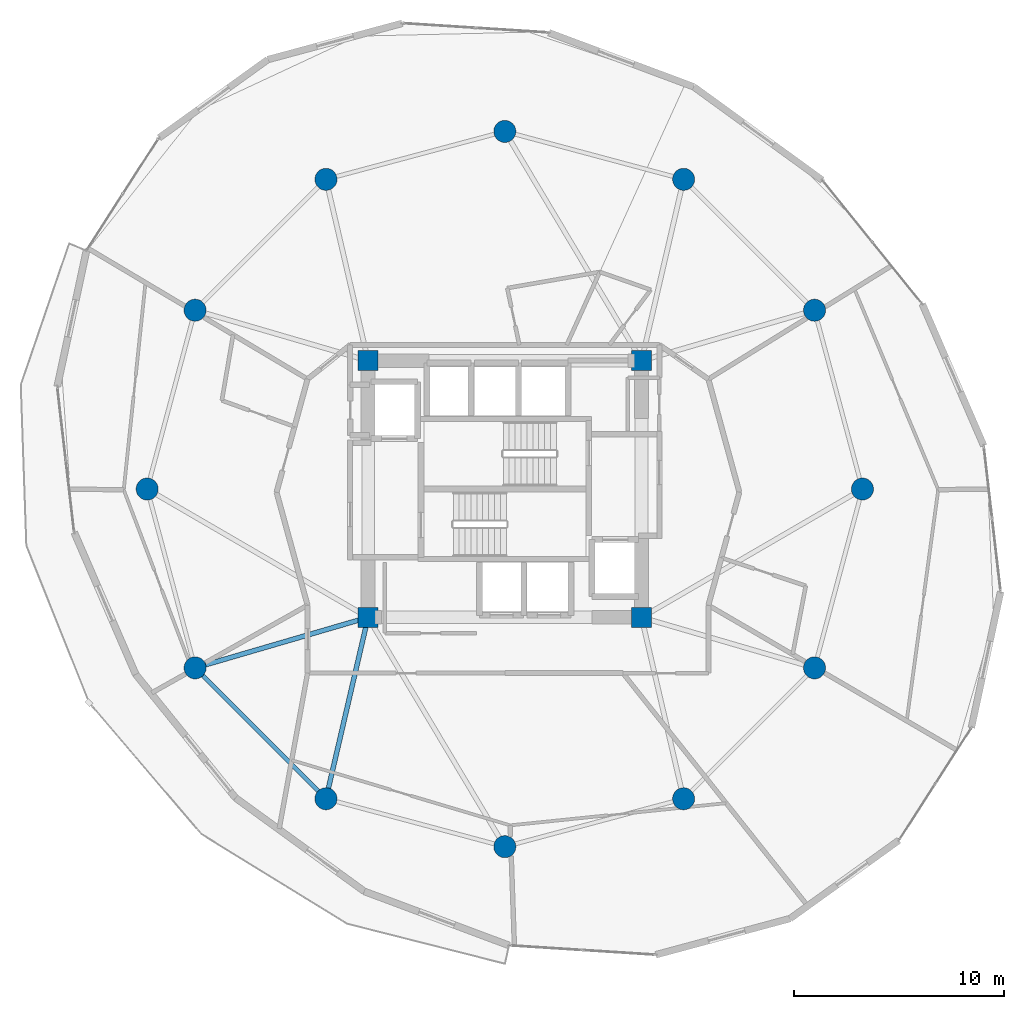
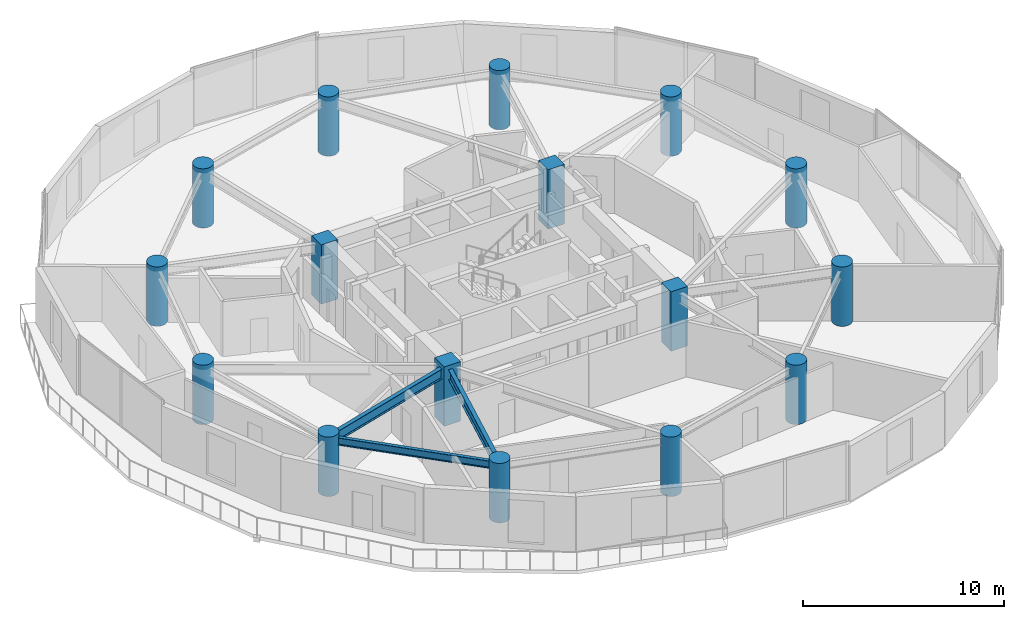
# One storey, part 1 of 21: 16 columns, 3 beams.
"""IFC4 building model written with IfcOpenShell, lengths in metres."""

from ifc_helpers import new_model, si_unit, direction, frame, origin, origin_2d, place, context, subcontext, project, spatial, rectangle, circle, i_section, extrude, material, material_profile, profile_set, type_object, element, save


model = new_model("IFC4")

# Units and contexts
model_context = context("Model", 3, precision=1e-05, world=origin(), true_north=direction((0.0, 1.0)))
body_context = subcontext(model_context, "Body", "Model", "MODEL_VIEW")
ifc_project = project(units=[si_unit("LENGTHUNIT", "METRE"), si_unit("AREAUNIT", "SQUARE_METRE"), si_unit("VOLUMEUNIT", "CUBIC_METRE"), si_unit("PLANEANGLEUNIT", "RADIAN"), si_unit("MASSUNIT", "GRAM", prefix="KILO")], contexts=[model_context])

# Site, building, storey
site_placement = place(None, origin())
site = spatial("IfcSite", under=ifc_project, at=site_placement, CompositionType="ELEMENT")
building_placement = place(site_placement, origin())
building = spatial("IfcBuilding", under=site, at=building_placement, Name="Solvirekh Grand Hotel", CompositionType="ELEMENT")
storey_placement = place(building_placement, frame((0.0, 0.0, 142.199951171875)))
storey = spatial("IfcBuildingStorey", under=building, at=storey_placement, Name="L36", CompositionType="ELEMENT", Elevation=142.199951171875)

# Columns
ifc_material_1 = material(Name="Concrete C50/60", Category="concrete")
ifc_material_profile_1 = material_profile(ifc_material_1, rectangle(XDim=0.949951171875, YDim=0.949951171875, at=origin_2d()), Name="RC 950X950")
ifc_profile_set_1 = profile_set([ifc_material_profile_1], Name="Concrete C50/60")
column_type_1 = type_object("IfcColumnType", Name="Col_Core_950", PredefinedType="COLUMN", material=ifc_profile_set_1)
for number, where, z_axis, x_axis, name in (
    (1, (-6.5, -6.10009765625, 0.0), (0.0, 0.0, 1.0), (1.0, 0.0, 0.0), "L36 core corner column CC1"),
    (2, (6.5, -6.10009765625, 0.0), (0.0, 0.0, 1.0), (1.0, 0.0, 0.0), "L36 core corner column CC2"),
    (3, (6.5, 6.10009765625, 0.0), (0.0, 0.0, 1.0), (1.0, 0.0, 0.0), "L36 core corner column CC3"),
    (4, (-6.5, 6.10009765625, 0.0), (0.0, 0.0, 1.0), (1.0, 0.0, 0.0), "L36 core corner column CC4"),
):
    element("IfcColumn", number, at=place(storey_placement, frame(where, z_axis=z_axis, x_axis=x_axis)), inside=storey, type_object=column_type_1, Name=name, PredefinedType="COLUMN", context=body_context, shape_type="SweptSolid", body=[
        extrude(rectangle(XDim=0.949951171875, YDim=0.949951171875, at=origin_2d()), origin(), (0.0, 0.0, 1.0), 3.60009765625),
    ])
ifc_material_profile_2 = material_profile(ifc_material_1, circle(Radius=0.52490234375, at=origin_2d()), Name="RC CIRC D1050")
ifc_profile_set_2 = profile_set([ifc_material_profile_2], Name="Concrete C50/60")
column_type_2 = type_object("IfcColumnType", Name="Col_Z2_D1050", PredefinedType="COLUMN", material=ifc_profile_set_2)
for number, where, z_axis, x_axis, name in (
    (5, (17.0, 0.0, 0.0), (0.0, 0.0, 1.0), (1.0, 0.0, 0.0), "L36 perimeter column P01"),
    (6, (14.721923828125, 8.5, 0.0), (0.0, 0.0, 1.0), (1.0, 0.0, 0.0), "L36 perimeter column P02"),
    (7, (8.5, 14.721923828125, 0.0), (0.0, 0.0, 1.0), (1.0, 0.0, 0.0), "L36 perimeter column P03"),
    (8, (0.0, 17.0, 0.0), (0.0, 0.0, 1.0), (1.0, 0.0, 0.0), "L36 perimeter column P04"),
    (9, (-8.5, 14.721923828125, 0.0), (0.0, 0.0, 1.0), (1.0, 0.0, 0.0), "L36 perimeter column P05"),
    (10, (-14.721923828125, 8.5, 0.0), (0.0, 0.0, 1.0), (1.0, 0.0, 0.0), "L36 perimeter column P06"),
    (11, (-17.0, 0.0, 0.0), (0.0, 0.0, 1.0), (1.0, 0.0, 0.0), "L36 perimeter column P07"),
    (12, (-14.721923828125, -8.5, 0.0), (0.0, 0.0, 1.0), (1.0, 0.0, 0.0), "L36 perimeter column P08"),
    (13, (-8.5, -14.721923828125, 0.0), (0.0, 0.0, 1.0), (1.0, 0.0, 0.0), "L36 perimeter column P09"),
    (14, (0.0, -17.0, 0.0), (0.0, 0.0, 1.0), (1.0, 0.0, 0.0), "L36 perimeter column P10"),
    (15, (8.5, -14.721923828125, 0.0), (0.0, 0.0, 1.0), (1.0, 0.0, 0.0), "L36 perimeter column P11"),
    (16, (14.721923828125, -8.5, 0.0), (0.0, 0.0, 1.0), (1.0, 0.0, 0.0), "L36 perimeter column P12"),
):
    element("IfcColumn", number, at=place(storey_placement, frame(where, z_axis=z_axis, x_axis=x_axis)), inside=storey, type_object=column_type_2, Name=name, PredefinedType="COLUMN", context=body_context, shape_type="SweptSolid", body=[
        extrude(circle(Radius=0.52490234375, at=origin_2d()), origin(), (0.0, 0.0, 1.0), 3.60009765625),
    ])

# Beams
ifc_material_2 = material(Name="Steel S355", Category="steel")
ifc_material_profile_3 = material_profile(ifc_material_2, i_section(OverallWidth=0.22802734375, OverallDepth=0.616943359375, WebThickness=0.012939453125, FlangeThickness=0.02001953125, FilletRadius=0.014892578125, at=origin_2d()), Name="W610X140")
ifc_profile_set_3 = profile_set([ifc_material_profile_3], Name="Steel S355")
beam_type_1 = type_object("IfcBeamType", Name="Beam_Radial_W610", PredefinedType="BEAM", material=ifc_profile_set_3)
beam_1_placement = place(storey_placement, frame((-6.5, -6.10009765625, 3.0419921875), z_axis=(-0.959942195467, -0.28019811092, 0.0), x_axis=(0.28019811092, -0.959942195467, 0.0)))
element("IfcBeam", 17, at=beam_1_placement, inside=storey, type_object=beam_type_1, Name="L36 radial floor beam R08", PredefinedType="BEAM", context=body_context, shape_type="SweptSolid", body=[
    extrude(i_section(OverallWidth=0.22802734375, OverallDepth=0.616943359375, WebThickness=0.012939453125, FlangeThickness=0.02001953125, FilletRadius=0.014892578125, at=origin_2d()), origin(), (0.0, 0.0, 1.0), 8.56494140625),
])
beam_2_placement = place(storey_placement, frame((-6.5, -6.10009765625, 3.0419921875), z_axis=(-0.225969390542, -0.974134402707, 0.0), x_axis=(0.974134402707, -0.225969390542, 0.0)))
element("IfcBeam", 18, at=beam_2_placement, inside=storey, type_object=beam_type_1, Name="L36 radial floor beam R09", PredefinedType="BEAM", context=body_context, shape_type="SweptSolid", body=[
    extrude(i_section(OverallWidth=0.22802734375, OverallDepth=0.616943359375, WebThickness=0.012939453125, FlangeThickness=0.02001953125, FilletRadius=0.014892578125, at=origin_2d()), origin(), (0.0, 0.0, 1.0), 8.850830078125),
])
ifc_material_profile_4 = material_profile(ifc_material_2, i_section(OverallWidth=0.18994140625, OverallDepth=0.45703125, WebThickness=0.009033203125, FlangeThickness=0.013916015625, FilletRadius=0.012939453125, at=origin_2d()), Name="W460X74")
ifc_profile_set_4 = profile_set([ifc_material_profile_4], Name="Steel S355")
beam_type_2 = type_object("IfcBeamType", Name="Spandrel_Ring_W460", PredefinedType="SPANDREL", material=ifc_profile_set_4)
beam_3_placement = place(storey_placement, frame((-14.721923828125, -8.5, 3.1220703125), z_axis=(0.707106781187, -0.707106781187, 0.0), x_axis=(0.707106781187, 0.707106781187, 0.0)))
element("IfcBeam", 19, at=beam_3_placement, inside=storey, type_object=beam_type_2, Name="L36 perimeter spandrel beam 8", PredefinedType="SPANDREL", context=body_context, shape_type="SweptSolid", body=[
    extrude(i_section(OverallWidth=0.18994140625, OverallDepth=0.45703125, WebThickness=0.009033203125, FlangeThickness=0.013916015625, FilletRadius=0.012939453125, at=origin_2d()), origin(), (0.0, 0.0, 1.0), 8.799072265625),
])

save(model, "model.ifc")
